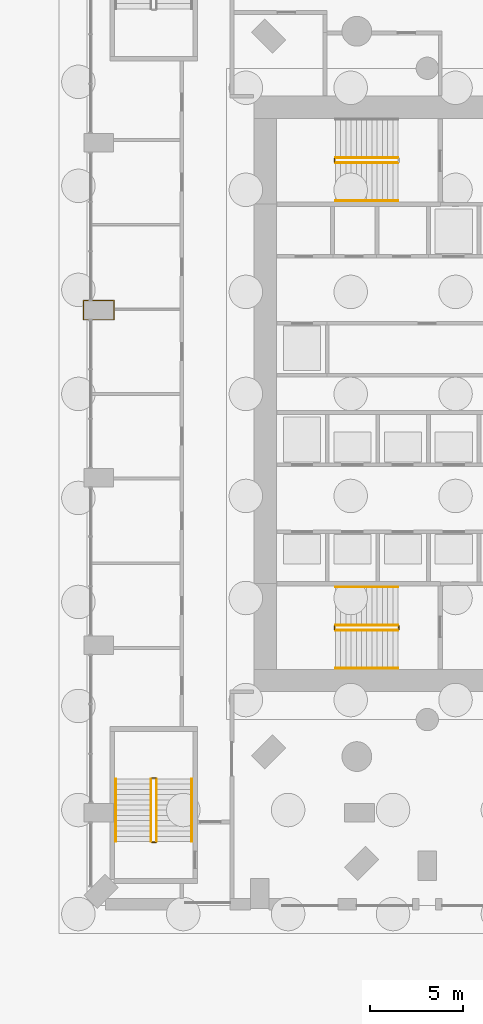
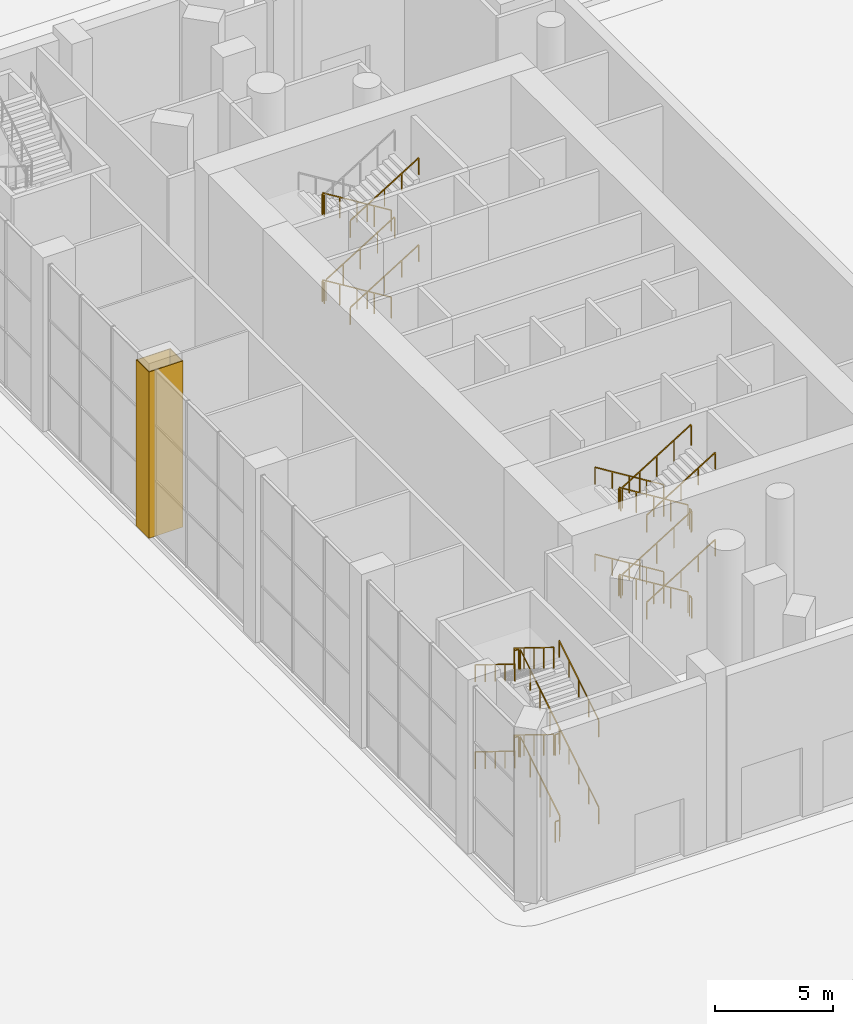
# One storey, part 20 of 25: 31 railings, 1 covering.
"""IFC4 building model written with IfcOpenShell, lengths in metres."""

from ifc_helpers import new_model, si_unit, direction, frame, origin, origin_2d, place, context, subcontext, project, spatial, polyline, rectangle, outline, extrude, material, layer, layer_set, type_object, element, save


model = new_model("IFC4")

# Units and contexts
model_context = context("Model", 3, precision=1e-05, world=origin(), true_north=direction((0.0, 1.0)))
body_context = subcontext(model_context, "Body", "Model", "MODEL_VIEW")
ifc_project = project(units=[si_unit("LENGTHUNIT", "METRE"), si_unit("AREAUNIT", "SQUARE_METRE"), si_unit("VOLUMEUNIT", "CUBIC_METRE"), si_unit("PLANEANGLEUNIT", "RADIAN"), si_unit("MASSUNIT", "GRAM", prefix="KILO")], contexts=[model_context])

# Site, building, storey
site_placement = place(None, origin())
site = spatial("IfcSite", under=ifc_project, at=site_placement, CompositionType="ELEMENT")
building_placement = place(site_placement, origin())
building = spatial("IfcBuilding", under=site, at=building_placement, Name="Cypress Arch Tower", CompositionType="ELEMENT")
storey_placement = place(building_placement, origin())
storey = spatial("IfcBuildingStorey", under=building, at=storey_placement, Name="L00", CompositionType="ELEMENT", Elevation=0.0)

# Covering
ifc_material_1 = material(Name="Painted plasterboard column casing")
ifc_layer = layer(ifc_material_1, 0.0400390625)
ifc_layer_set = layer_set([ifc_layer], Name="Column casing CK40")
covering_type = type_object("IfcCoveringType", Name="Column casing CK40", PredefinedType="CLADDING", material=ifc_layer_set)
covering_placement = place(storey_placement, origin())
element("IfcCovering", 1, at=covering_placement, inside=storey, type_object=covering_type, Name="Column casing L00 CP26", PredefinedType="CLADDING", context=body_context, shape_type="SweptSolid", body=[
    extrude(outline(polyline([(-39.18994140625, 5.0400390625), (-37.510009765625, 5.0400390625), (-37.510009765625, 3.9599609375), (-39.18994140625, 3.9599609375), (-39.18994140625, 5.0400390625)]), holes=[polyline([(-39.14990234375, 5.0), (-39.14990234375, 4.0), (-37.550048828125, 4.0), (-37.550048828125, 5.0), (-39.14990234375, 5.0)])]), origin(), (0.0, 0.0, 1.0), 8.597900390625),
])

# Railings
ifc_material_2 = material(Name="Black powder-coated steel square bar 48 mm", Category="steel")
railing_type_1 = type_object("IfcRailingType", Name="Stair handrail HR1", PredefinedType="HANDRAIL", material=ifc_material_2)
railing_1_placement = place(storey_placement, frame((-22.27490234375, -10.375, 0.173095703125)))
element("IfcRailing", 2, at=railing_1_placement, inside=storey, type_object=railing_type_1, Name="L00 A stair handrail 1", PredefinedType="HANDRAIL", context=body_context, shape_type="SweptSolid", body=[
    extrude(rectangle(XDim=0.048095703125, YDim=0.048095703125, at=origin_2d()), frame((0.0, 0.0, 0.8759765625), z_axis=(-0.850623216509, 0.0, 0.525775754039), x_axis=(0.0, -1.0, 0.0)), (0.0, 0.0, 1.0), 3.9501953125),
    extrude(rectangle(XDim=0.0419921875, YDim=0.0419921875, at=origin_2d()), origin(), (0.0, 0.0, 1.0), 0.851806640625),
    extrude(rectangle(XDim=0.0419921875, YDim=0.0419921875, at=origin_2d()), frame((-0.840087890625, 0.0, 0.519287109375)), (0.0, 0.0, 1.0), 0.851806640625),
    extrude(rectangle(XDim=0.0419921875, YDim=0.0419921875, at=origin_2d()), frame((-1.68017578125, 0.0, 1.03857421875)), (0.0, 0.0, 1.0), 0.851806640625),
    extrude(rectangle(XDim=0.0419921875, YDim=0.0419921875, at=origin_2d()), frame((-2.52001953125, 0.0, 1.5576171875)), (0.0, 0.0, 1.0), 0.851806640625),
    extrude(rectangle(XDim=0.0419921875, YDim=0.0419921875, at=origin_2d()), frame((-3.360107421875, 0.0, 2.076904296875)), (0.0, 0.0, 1.0), 0.851806640625),
])
railing_2_placement = place(storey_placement, frame((-25.635009765625, -14.75, 2.423095703125)))
element("IfcRailing", 3, at=railing_2_placement, inside=storey, type_object=railing_type_1, Name="L00 A stair handrail 2", PredefinedType="HANDRAIL", context=body_context, shape_type="SweptSolid", body=[
    extrude(rectangle(XDim=0.048095703125, YDim=0.048095703125, at=origin_2d()), frame((0.0, 0.0, 0.8759765625), z_axis=(0.850623216509, 0.0, 0.525775754039), x_axis=(0.0, 1.0, 0.0)), (0.0, 0.0, 1.0), 3.9501953125),
    extrude(rectangle(XDim=0.0419921875, YDim=0.0419921875, at=origin_2d()), origin(), (0.0, 0.0, 1.0), 0.851806640625),
    extrude(rectangle(XDim=0.0419921875, YDim=0.0419921875, at=origin_2d()), frame((0.840087890625, 0.0, 0.519287109375)), (0.0, 0.0, 1.0), 0.851806640625),
    extrude(rectangle(XDim=0.0419921875, YDim=0.0419921875, at=origin_2d()), frame((1.68017578125, 0.0, 1.03857421875)), (0.0, 0.0, 1.0), 0.851806640625),
    extrude(rectangle(XDim=0.0419921875, YDim=0.0419921875, at=origin_2d()), frame((2.52001953125, 0.0, 1.5576171875)), (0.0, 0.0, 1.0), 0.851806640625),
    extrude(rectangle(XDim=0.0419921875, YDim=0.0419921875, at=origin_2d()), frame((3.360107421875, 0.0, 2.076904296875)), (0.0, 0.0, 1.0), 0.851806640625),
])
railing_3_placement = place(storey_placement, frame((-22.27490234375, -10.375, 4.673095703125)))
element("IfcRailing", 4, at=railing_3_placement, inside=storey, type_object=railing_type_1, Name="L00 A stair handrail 3", PredefinedType="HANDRAIL", context=body_context, shape_type="SweptSolid", body=[
    extrude(rectangle(XDim=0.048095703125, YDim=0.048095703125, at=origin_2d()), frame((0.0, 0.0, 0.8759765625), z_axis=(-0.850623216509, 0.0, 0.525775754039), x_axis=(0.0, -1.0, 0.0)), (0.0, 0.0, 1.0), 3.9501953125),
    extrude(rectangle(XDim=0.0419921875, YDim=0.0419921875, at=origin_2d()), origin(), (0.0, 0.0, 1.0), 0.851806640625),
    extrude(rectangle(XDim=0.0419921875, YDim=0.0419921875, at=origin_2d()), frame((-0.840087890625, 0.0, 0.519287109375)), (0.0, 0.0, 1.0), 0.851806640625),
    extrude(rectangle(XDim=0.0419921875, YDim=0.0419921875, at=origin_2d()), frame((-1.68017578125, 0.0, 1.03857421875)), (0.0, 0.0, 1.0), 0.851806640625),
    extrude(rectangle(XDim=0.0419921875, YDim=0.0419921875, at=origin_2d()), frame((-2.52001953125, 0.0, 1.5576171875)), (0.0, 0.0, 1.0), 0.851806640625),
    extrude(rectangle(XDim=0.0419921875, YDim=0.0419921875, at=origin_2d()), frame((-3.360107421875, 0.0, 2.076904296875)), (0.0, 0.0, 1.0), 0.851806640625),
])
for number, where, name in (
    (5, (-25.635009765625, -14.75, 6.923095703125), "L00 A stair handrail 4"),
    (6, (-25.635009765625, 10.375, 2.423095703125), "L00 B stair handrail 2"),
    (7, (-25.635009765625, 10.375, 6.923095703125), "L00 B stair handrail 4"),
):
    element("IfcRailing", number, at=place(storey_placement, frame(where)), inside=storey, type_object=railing_type_1, Name=name, PredefinedType="HANDRAIL", context=body_context, shape_type="SweptSolid", body=[
        extrude(rectangle(XDim=0.048095703125, YDim=0.048095703125, at=origin_2d()), frame((0.0, 0.0, 0.8759765625), z_axis=(0.850623216509, 0.0, 0.525775754039), x_axis=(0.0, 1.0, 0.0)), (0.0, 0.0, 1.0), 3.9501953125),
        extrude(rectangle(XDim=0.0419921875, YDim=0.0419921875, at=origin_2d()), origin(), (0.0, 0.0, 1.0), 0.851806640625),
        extrude(rectangle(XDim=0.0419921875, YDim=0.0419921875, at=origin_2d()), frame((0.840087890625, 0.0, 0.519287109375)), (0.0, 0.0, 1.0), 0.851806640625),
        extrude(rectangle(XDim=0.0419921875, YDim=0.0419921875, at=origin_2d()), frame((1.68017578125, 0.0, 1.03857421875)), (0.0, 0.0, 1.0), 0.851806640625),
        extrude(rectangle(XDim=0.0419921875, YDim=0.0419921875, at=origin_2d()), frame((2.52001953125, 0.0, 1.5576171875)), (0.0, 0.0, 1.0), 0.851806640625),
        extrude(rectangle(XDim=0.0419921875, YDim=0.0419921875, at=origin_2d()), frame((3.360107421875, 0.0, 2.076904296875)), (0.0, 0.0, 1.0), 0.851806640625),
    ])
railing_4_placement = place(storey_placement, frame((-33.35009765625, -24.050048828125, 0.173095703125)))
element("IfcRailing", 8, at=railing_4_placement, inside=storey, type_object=railing_type_1, Name="L00 P1 stair handrail 1", PredefinedType="HANDRAIL", context=body_context, shape_type="SweptSolid", body=[
    extrude(rectangle(XDim=0.048095703125, YDim=0.048095703125, at=origin_2d()), frame((0.0, 0.0, 0.8759765625), z_axis=(0.0, 0.850623216509, 0.525775754039), x_axis=(-1.0, 0.0, 0.0)), (0.0, 0.0, 1.0), 3.9501953125),
    extrude(rectangle(XDim=0.0419921875, YDim=0.0419921875, at=origin_2d()), origin(), (0.0, 0.0, 1.0), 0.851806640625),
    extrude(rectangle(XDim=0.0419921875, YDim=0.0419921875, at=origin_2d()), frame((0.0, 0.840087890625, 0.519287109375)), (0.0, 0.0, 1.0), 0.851806640625),
    extrude(rectangle(XDim=0.0419921875, YDim=0.0419921875, at=origin_2d()), frame((0.0, 1.68017578125, 1.03857421875)), (0.0, 0.0, 1.0), 0.851806640625),
    extrude(rectangle(XDim=0.0419921875, YDim=0.0419921875, at=origin_2d()), frame((0.0, 2.52001953125, 1.5576171875)), (0.0, 0.0, 1.0), 0.851806640625),
    extrude(rectangle(XDim=0.0419921875, YDim=0.0419921875, at=origin_2d()), frame((0.0, 3.360107421875, 2.076904296875)), (0.0, 0.0, 1.0), 0.851806640625),
])
railing_5_placement = place(storey_placement, frame((-37.449951171875, -20.68994140625, 2.423095703125)))
element("IfcRailing", 9, at=railing_5_placement, inside=storey, type_object=railing_type_1, Name="L00 P1 stair handrail 2", PredefinedType="HANDRAIL", context=body_context, shape_type="SweptSolid", body=[
    extrude(rectangle(XDim=0.048095703125, YDim=0.048095703125, at=origin_2d()), frame((0.0, 0.0, 0.8759765625), z_axis=(0.0, -0.850623216509, 0.525775754039), x_axis=(1.0, 0.0, 0.0)), (0.0, 0.0, 1.0), 3.9501953125),
    extrude(rectangle(XDim=0.0419921875, YDim=0.0419921875, at=origin_2d()), origin(), (0.0, 0.0, 1.0), 0.851806640625),
    extrude(rectangle(XDim=0.0419921875, YDim=0.0419921875, at=origin_2d()), frame((0.0, -0.840087890625, 0.519287109375)), (0.0, 0.0, 1.0), 0.851806640625),
    extrude(rectangle(XDim=0.0419921875, YDim=0.0419921875, at=origin_2d()), frame((0.0, -1.68017578125, 1.03857421875)), (0.0, 0.0, 1.0), 0.851806640625),
    extrude(rectangle(XDim=0.0419921875, YDim=0.0419921875, at=origin_2d()), frame((0.0, -2.52001953125, 1.5576171875)), (0.0, 0.0, 1.0), 0.851806640625),
    extrude(rectangle(XDim=0.0419921875, YDim=0.0419921875, at=origin_2d()), frame((0.0, -3.360107421875, 2.076904296875)), (0.0, 0.0, 1.0), 0.851806640625),
])
railing_6_placement = place(storey_placement, frame((-33.35009765625, -24.050048828125, 4.673095703125)))
element("IfcRailing", 10, at=railing_6_placement, inside=storey, type_object=railing_type_1, Name="L00 P1 stair handrail 3", PredefinedType="HANDRAIL", context=body_context, shape_type="SweptSolid", body=[
    extrude(rectangle(XDim=0.048095703125, YDim=0.048095703125, at=origin_2d()), frame((0.0, 0.0, 0.8759765625), z_axis=(0.0, 0.850623216509, 0.525775754039), x_axis=(-1.0, 0.0, 0.0)), (0.0, 0.0, 1.0), 3.9501953125),
    extrude(rectangle(XDim=0.0419921875, YDim=0.0419921875, at=origin_2d()), origin(), (0.0, 0.0, 1.0), 0.851806640625),
    extrude(rectangle(XDim=0.0419921875, YDim=0.0419921875, at=origin_2d()), frame((0.0, 0.840087890625, 0.519287109375)), (0.0, 0.0, 1.0), 0.851806640625),
    extrude(rectangle(XDim=0.0419921875, YDim=0.0419921875, at=origin_2d()), frame((0.0, 1.68017578125, 1.03857421875)), (0.0, 0.0, 1.0), 0.851806640625),
    extrude(rectangle(XDim=0.0419921875, YDim=0.0419921875, at=origin_2d()), frame((0.0, 2.52001953125, 1.5576171875)), (0.0, 0.0, 1.0), 0.851806640625),
    extrude(rectangle(XDim=0.0419921875, YDim=0.0419921875, at=origin_2d()), frame((0.0, 3.360107421875, 2.076904296875)), (0.0, 0.0, 1.0), 0.851806640625),
])
railing_7_placement = place(storey_placement, frame((-37.449951171875, -20.68994140625, 6.923095703125)))
element("IfcRailing", 11, at=railing_7_placement, inside=storey, type_object=railing_type_1, Name="L00 P1 stair handrail 4", PredefinedType="HANDRAIL", context=body_context, shape_type="SweptSolid", body=[
    extrude(rectangle(XDim=0.048095703125, YDim=0.048095703125, at=origin_2d()), frame((0.0, 0.0, 0.8759765625), z_axis=(0.0, -0.850623216509, 0.525775754039), x_axis=(1.0, 0.0, 0.0)), (0.0, 0.0, 1.0), 3.9501953125),
    extrude(rectangle(XDim=0.0419921875, YDim=0.0419921875, at=origin_2d()), origin(), (0.0, 0.0, 1.0), 0.851806640625),
    extrude(rectangle(XDim=0.0419921875, YDim=0.0419921875, at=origin_2d()), frame((0.0, -0.840087890625, 0.519287109375)), (0.0, 0.0, 1.0), 0.851806640625),
    extrude(rectangle(XDim=0.0419921875, YDim=0.0419921875, at=origin_2d()), frame((0.0, -1.68017578125, 1.03857421875)), (0.0, 0.0, 1.0), 0.851806640625),
    extrude(rectangle(XDim=0.0419921875, YDim=0.0419921875, at=origin_2d()), frame((0.0, -2.52001953125, 1.5576171875)), (0.0, 0.0, 1.0), 0.851806640625),
    extrude(rectangle(XDim=0.0419921875, YDim=0.0419921875, at=origin_2d()), frame((0.0, -3.360107421875, 2.076904296875)), (0.0, 0.0, 1.0), 0.851806640625),
])
ifc_material_3 = material(Name="Black powder-coated steel balusters", Category="steel")
railing_type_2 = type_object("IfcRailingType", Name="Stair well guard G1", PredefinedType="GUARDRAIL", material=ifc_material_3)
railing_8_placement = place(storey_placement, frame((-22.27490234375, -12.425048828125, 0.173095703125)))
element("IfcRailing", 12, at=railing_8_placement, inside=storey, type_object=railing_type_2, Name="L00 A stair guard 1", PredefinedType="GUARDRAIL", context=body_context, shape_type="SweptSolid", body=[
    extrude(rectangle(XDim=0.048095703125, YDim=0.048095703125, at=origin_2d()), frame((0.0, 0.0, 1.076171875), z_axis=(-0.850623216509, 0.0, 0.525775754039), x_axis=(0.0, -1.0, 0.0)), (0.0, 0.0, 1.0), 3.9501953125),
    extrude(rectangle(XDim=0.0419921875, YDim=0.0419921875, at=origin_2d()), origin(), (0.0, 0.0, 1.0), 1.052001953125),
    extrude(rectangle(XDim=0.0419921875, YDim=0.0419921875, at=origin_2d()), frame((-0.840087890625, 0.0, 0.519287109375)), (0.0, 0.0, 1.0), 1.052001953125),
    extrude(rectangle(XDim=0.0419921875, YDim=0.0419921875, at=origin_2d()), frame((-1.68017578125, 0.0, 1.03857421875)), (0.0, 0.0, 1.0), 1.052001953125),
    extrude(rectangle(XDim=0.0419921875, YDim=0.0419921875, at=origin_2d()), frame((-2.52001953125, 0.0, 1.5576171875)), (0.0, 0.0, 1.0), 1.052001953125),
    extrude(rectangle(XDim=0.0419921875, YDim=0.0419921875, at=origin_2d()), frame((-3.360107421875, 0.0, 2.076904296875)), (0.0, 0.0, 1.0), 1.052001953125),
])
railing_9_placement = place(storey_placement, frame((-25.68505859375, -12.47509765625, 2.25)))
element("IfcRailing", 13, at=railing_9_placement, inside=storey, type_object=railing_type_2, Name="L00 A stair guard 2", PredefinedType="GUARDRAIL", context=body_context, shape_type="SweptSolid", body=[
    extrude(rectangle(XDim=0.048095703125, YDim=0.048095703125, at=origin_2d()), frame((0.0, 0.0, 1.076171875), z_axis=(0.0, -1.0, 0.0), x_axis=(1.0, 0.0, 0.0)), (0.0, 0.0, 1.0), 0.1748046875),
    extrude(rectangle(XDim=0.0419921875, YDim=0.0419921875, at=origin_2d()), origin(), (0.0, 0.0, 1.0), 1.052001953125),
    extrude(rectangle(XDim=0.0419921875, YDim=0.0419921875, at=origin_2d()), frame((0.0, -0.1748046875, 0.0)), (0.0, 0.0, 1.0), 1.052001953125),
])
railing_10_placement = place(storey_placement, frame((-25.635009765625, -12.699951171875, 2.423095703125)))
element("IfcRailing", 14, at=railing_10_placement, inside=storey, type_object=railing_type_2, Name="L00 A stair guard 3", PredefinedType="GUARDRAIL", context=body_context, shape_type="SweptSolid", body=[
    extrude(rectangle(XDim=0.048095703125, YDim=0.048095703125, at=origin_2d()), frame((0.0, 0.0, 1.076171875), z_axis=(0.850623216509, 0.0, 0.525775754039), x_axis=(0.0, 1.0, 0.0)), (0.0, 0.0, 1.0), 3.9501953125),
    extrude(rectangle(XDim=0.0419921875, YDim=0.0419921875, at=origin_2d()), origin(), (0.0, 0.0, 1.0), 1.052001953125),
    extrude(rectangle(XDim=0.0419921875, YDim=0.0419921875, at=origin_2d()), frame((0.840087890625, 0.0, 0.519287109375)), (0.0, 0.0, 1.0), 1.052001953125),
    extrude(rectangle(XDim=0.0419921875, YDim=0.0419921875, at=origin_2d()), frame((1.68017578125, 0.0, 1.03857421875)), (0.0, 0.0, 1.0), 1.052001953125),
    extrude(rectangle(XDim=0.0419921875, YDim=0.0419921875, at=origin_2d()), frame((2.52001953125, 0.0, 1.5576171875)), (0.0, 0.0, 1.0), 1.052001953125),
    extrude(rectangle(XDim=0.0419921875, YDim=0.0419921875, at=origin_2d()), frame((3.360107421875, 0.0, 2.076904296875)), (0.0, 0.0, 1.0), 1.052001953125),
])
railing_11_placement = place(storey_placement, frame((-22.22509765625, -12.47509765625, 4.5)))
element("IfcRailing", 15, at=railing_11_placement, inside=storey, type_object=railing_type_2, Name="L00 A stair guard 4", PredefinedType="GUARDRAIL", context=body_context, shape_type="SweptSolid", body=[
    extrude(rectangle(XDim=0.048095703125, YDim=0.048095703125, at=origin_2d()), frame((0.0, 0.0, 1.076171875), z_axis=(0.0, -1.0, 0.0), x_axis=(1.0, 0.0, 0.0)), (0.0, 0.0, 1.0), 0.1748046875),
    extrude(rectangle(XDim=0.0419921875, YDim=0.0419921875, at=origin_2d()), origin(), (0.0, 0.0, 1.0), 1.052001953125),
    extrude(rectangle(XDim=0.0419921875, YDim=0.0419921875, at=origin_2d()), frame((0.0, -0.1748046875, 0.0)), (0.0, 0.0, 1.0), 1.052001953125),
])
railing_12_placement = place(storey_placement, frame((-22.27490234375, -12.425048828125, 4.673095703125)))
element("IfcRailing", 16, at=railing_12_placement, inside=storey, type_object=railing_type_2, Name="L00 A stair guard 5", PredefinedType="GUARDRAIL", context=body_context, shape_type="SweptSolid", body=[
    extrude(rectangle(XDim=0.048095703125, YDim=0.048095703125, at=origin_2d()), frame((0.0, 0.0, 1.076171875), z_axis=(-0.850623216509, 0.0, 0.525775754039), x_axis=(0.0, -1.0, 0.0)), (0.0, 0.0, 1.0), 3.9501953125),
    extrude(rectangle(XDim=0.0419921875, YDim=0.0419921875, at=origin_2d()), origin(), (0.0, 0.0, 1.0), 1.052001953125),
    extrude(rectangle(XDim=0.0419921875, YDim=0.0419921875, at=origin_2d()), frame((-0.840087890625, 0.0, 0.519287109375)), (0.0, 0.0, 1.0), 1.052001953125),
    extrude(rectangle(XDim=0.0419921875, YDim=0.0419921875, at=origin_2d()), frame((-1.68017578125, 0.0, 1.03857421875)), (0.0, 0.0, 1.0), 1.052001953125),
    extrude(rectangle(XDim=0.0419921875, YDim=0.0419921875, at=origin_2d()), frame((-2.52001953125, 0.0, 1.5576171875)), (0.0, 0.0, 1.0), 1.052001953125),
    extrude(rectangle(XDim=0.0419921875, YDim=0.0419921875, at=origin_2d()), frame((-3.360107421875, 0.0, 2.076904296875)), (0.0, 0.0, 1.0), 1.052001953125),
])
railing_13_placement = place(storey_placement, frame((-25.68505859375, -12.47509765625, 6.75)))
element("IfcRailing", 17, at=railing_13_placement, inside=storey, type_object=railing_type_2, Name="L00 A stair guard 6", PredefinedType="GUARDRAIL", context=body_context, shape_type="SweptSolid", body=[
    extrude(rectangle(XDim=0.048095703125, YDim=0.048095703125, at=origin_2d()), frame((0.0, 0.0, 1.076171875), z_axis=(0.0, -1.0, 0.0), x_axis=(1.0, 0.0, 0.0)), (0.0, 0.0, 1.0), 0.1748046875),
    extrude(rectangle(XDim=0.0419921875, YDim=0.0419921875, at=origin_2d()), origin(), (0.0, 0.0, 1.0), 1.052001953125),
    extrude(rectangle(XDim=0.0419921875, YDim=0.0419921875, at=origin_2d()), frame((0.0, -0.1748046875, 0.0)), (0.0, 0.0, 1.0), 1.052001953125),
])
railing_14_placement = place(storey_placement, frame((-25.635009765625, -12.699951171875, 6.923095703125)))
element("IfcRailing", 18, at=railing_14_placement, inside=storey, type_object=railing_type_2, Name="L00 A stair guard 7", PredefinedType="GUARDRAIL", context=body_context, shape_type="SweptSolid", body=[
    extrude(rectangle(XDim=0.048095703125, YDim=0.048095703125, at=origin_2d()), frame((0.0, 0.0, 1.076171875), z_axis=(0.850623216509, 0.0, 0.525775754039), x_axis=(0.0, 1.0, 0.0)), (0.0, 0.0, 1.0), 3.9501953125),
    extrude(rectangle(XDim=0.0419921875, YDim=0.0419921875, at=origin_2d()), origin(), (0.0, 0.0, 1.0), 1.052001953125),
    extrude(rectangle(XDim=0.0419921875, YDim=0.0419921875, at=origin_2d()), frame((0.840087890625, 0.0, 0.519287109375)), (0.0, 0.0, 1.0), 1.052001953125),
    extrude(rectangle(XDim=0.0419921875, YDim=0.0419921875, at=origin_2d()), frame((1.68017578125, 0.0, 1.03857421875)), (0.0, 0.0, 1.0), 1.052001953125),
    extrude(rectangle(XDim=0.0419921875, YDim=0.0419921875, at=origin_2d()), frame((2.52001953125, 0.0, 1.5576171875)), (0.0, 0.0, 1.0), 1.052001953125),
    extrude(rectangle(XDim=0.0419921875, YDim=0.0419921875, at=origin_2d()), frame((3.360107421875, 0.0, 2.076904296875)), (0.0, 0.0, 1.0), 1.052001953125),
])
railing_15_placement = place(storey_placement, frame((-22.22509765625, -12.47509765625, 0.0)))
element("IfcRailing", 19, at=railing_15_placement, inside=storey, type_object=railing_type_2, Name="L00 A stair guard 8", PredefinedType="GUARDRAIL", context=body_context, shape_type="SweptSolid", body=[
    extrude(rectangle(XDim=0.048095703125, YDim=0.048095703125, at=origin_2d()), frame((0.0, 0.0, 1.076171875), z_axis=(0.0, -1.0, 0.0), x_axis=(1.0, 0.0, 0.0)), (0.0, 0.0, 1.0), 0.1748046875),
    extrude(rectangle(XDim=0.0419921875, YDim=0.0419921875, at=origin_2d()), origin(), (0.0, 0.0, 1.0), 1.052001953125),
    extrude(rectangle(XDim=0.0419921875, YDim=0.0419921875, at=origin_2d()), frame((0.0, -0.1748046875, 0.0)), (0.0, 0.0, 1.0), 1.052001953125),
])
railing_16_placement = place(storey_placement, frame((-22.27490234375, 12.699951171875, 0.173095703125)))
element("IfcRailing", 20, at=railing_16_placement, inside=storey, type_object=railing_type_2, Name="L00 B stair guard 1", PredefinedType="GUARDRAIL", context=body_context, shape_type="SweptSolid", body=[
    extrude(rectangle(XDim=0.048095703125, YDim=0.048095703125, at=origin_2d()), frame((0.0, 0.0, 1.076171875), z_axis=(-0.850623216509, 0.0, 0.525775754039), x_axis=(0.0, -1.0, 0.0)), (0.0, 0.0, 1.0), 3.9501953125),
    extrude(rectangle(XDim=0.0419921875, YDim=0.0419921875, at=origin_2d()), origin(), (0.0, 0.0, 1.0), 1.052001953125),
    extrude(rectangle(XDim=0.0419921875, YDim=0.0419921875, at=origin_2d()), frame((-0.840087890625, 0.0, 0.519287109375)), (0.0, 0.0, 1.0), 1.052001953125),
    extrude(rectangle(XDim=0.0419921875, YDim=0.0419921875, at=origin_2d()), frame((-1.68017578125, 0.0, 1.03857421875)), (0.0, 0.0, 1.0), 1.052001953125),
    extrude(rectangle(XDim=0.0419921875, YDim=0.0419921875, at=origin_2d()), frame((-2.52001953125, 0.0, 1.5576171875)), (0.0, 0.0, 1.0), 1.052001953125),
    extrude(rectangle(XDim=0.0419921875, YDim=0.0419921875, at=origin_2d()), frame((-3.360107421875, 0.0, 2.076904296875)), (0.0, 0.0, 1.0), 1.052001953125),
])
railing_17_placement = place(storey_placement, frame((-25.68505859375, 12.64990234375, 2.25)))
element("IfcRailing", 21, at=railing_17_placement, inside=storey, type_object=railing_type_2, Name="L00 B stair guard 2", PredefinedType="GUARDRAIL", context=body_context, shape_type="SweptSolid", body=[
    extrude(rectangle(XDim=0.048095703125, YDim=0.048095703125, at=origin_2d()), frame((0.0, 0.0, 1.076171875), z_axis=(0.0, -1.0, 0.0), x_axis=(1.0, 0.0, 0.0)), (0.0, 0.0, 1.0), 0.1748046875),
    extrude(rectangle(XDim=0.0419921875, YDim=0.0419921875, at=origin_2d()), origin(), (0.0, 0.0, 1.0), 1.052001953125),
    extrude(rectangle(XDim=0.0419921875, YDim=0.0419921875, at=origin_2d()), frame((0.0, -0.1748046875, 0.0)), (0.0, 0.0, 1.0), 1.052001953125),
])
railing_18_placement = place(storey_placement, frame((-25.635009765625, 12.425048828125, 2.423095703125)))
element("IfcRailing", 22, at=railing_18_placement, inside=storey, type_object=railing_type_2, Name="L00 B stair guard 3", PredefinedType="GUARDRAIL", context=body_context, shape_type="SweptSolid", body=[
    extrude(rectangle(XDim=0.048095703125, YDim=0.048095703125, at=origin_2d()), frame((0.0, 0.0, 1.076171875), z_axis=(0.850623216509, 0.0, 0.525775754039), x_axis=(0.0, 1.0, 0.0)), (0.0, 0.0, 1.0), 3.9501953125),
    extrude(rectangle(XDim=0.0419921875, YDim=0.0419921875, at=origin_2d()), origin(), (0.0, 0.0, 1.0), 1.052001953125),
    extrude(rectangle(XDim=0.0419921875, YDim=0.0419921875, at=origin_2d()), frame((0.840087890625, 0.0, 0.519287109375)), (0.0, 0.0, 1.0), 1.052001953125),
    extrude(rectangle(XDim=0.0419921875, YDim=0.0419921875, at=origin_2d()), frame((1.68017578125, 0.0, 1.03857421875)), (0.0, 0.0, 1.0), 1.052001953125),
    extrude(rectangle(XDim=0.0419921875, YDim=0.0419921875, at=origin_2d()), frame((2.52001953125, 0.0, 1.5576171875)), (0.0, 0.0, 1.0), 1.052001953125),
    extrude(rectangle(XDim=0.0419921875, YDim=0.0419921875, at=origin_2d()), frame((3.360107421875, 0.0, 2.076904296875)), (0.0, 0.0, 1.0), 1.052001953125),
])
railing_19_placement = place(storey_placement, frame((-22.27490234375, 12.699951171875, 4.673095703125)))
element("IfcRailing", 23, at=railing_19_placement, inside=storey, type_object=railing_type_2, Name="L00 B stair guard 5", PredefinedType="GUARDRAIL", context=body_context, shape_type="SweptSolid", body=[
    extrude(rectangle(XDim=0.048095703125, YDim=0.048095703125, at=origin_2d()), frame((0.0, 0.0, 1.076171875), z_axis=(-0.850623216509, 0.0, 0.525775754039), x_axis=(0.0, -1.0, 0.0)), (0.0, 0.0, 1.0), 3.9501953125),
    extrude(rectangle(XDim=0.0419921875, YDim=0.0419921875, at=origin_2d()), origin(), (0.0, 0.0, 1.0), 1.052001953125),
    extrude(rectangle(XDim=0.0419921875, YDim=0.0419921875, at=origin_2d()), frame((-0.840087890625, 0.0, 0.519287109375)), (0.0, 0.0, 1.0), 1.052001953125),
    extrude(rectangle(XDim=0.0419921875, YDim=0.0419921875, at=origin_2d()), frame((-1.68017578125, 0.0, 1.03857421875)), (0.0, 0.0, 1.0), 1.052001953125),
    extrude(rectangle(XDim=0.0419921875, YDim=0.0419921875, at=origin_2d()), frame((-2.52001953125, 0.0, 1.5576171875)), (0.0, 0.0, 1.0), 1.052001953125),
    extrude(rectangle(XDim=0.0419921875, YDim=0.0419921875, at=origin_2d()), frame((-3.360107421875, 0.0, 2.076904296875)), (0.0, 0.0, 1.0), 1.052001953125),
])
railing_20_placement = place(storey_placement, frame((-25.68505859375, 12.64990234375, 6.75)))
element("IfcRailing", 24, at=railing_20_placement, inside=storey, type_object=railing_type_2, Name="L00 B stair guard 6", PredefinedType="GUARDRAIL", context=body_context, shape_type="SweptSolid", body=[
    extrude(rectangle(XDim=0.048095703125, YDim=0.048095703125, at=origin_2d()), frame((0.0, 0.0, 1.076171875), z_axis=(0.0, -1.0, 0.0), x_axis=(1.0, 0.0, 0.0)), (0.0, 0.0, 1.0), 0.1748046875),
    extrude(rectangle(XDim=0.0419921875, YDim=0.0419921875, at=origin_2d()), origin(), (0.0, 0.0, 1.0), 1.052001953125),
    extrude(rectangle(XDim=0.0419921875, YDim=0.0419921875, at=origin_2d()), frame((0.0, -0.1748046875, 0.0)), (0.0, 0.0, 1.0), 1.052001953125),
])
railing_21_placement = place(storey_placement, frame((-35.25, -24.050048828125, 0.173095703125)))
element("IfcRailing", 25, at=railing_21_placement, inside=storey, type_object=railing_type_2, Name="L00 P1 stair guard 1", PredefinedType="GUARDRAIL", context=body_context, shape_type="SweptSolid", body=[
    extrude(rectangle(XDim=0.048095703125, YDim=0.048095703125, at=origin_2d()), frame((0.0, 0.0, 1.076171875), z_axis=(0.0, 0.850623216509, 0.525775754039), x_axis=(-1.0, 0.0, 0.0)), (0.0, 0.0, 1.0), 3.9501953125),
    extrude(rectangle(XDim=0.0419921875, YDim=0.0419921875, at=origin_2d()), origin(), (0.0, 0.0, 1.0), 1.052001953125),
    extrude(rectangle(XDim=0.0419921875, YDim=0.0419921875, at=origin_2d()), frame((0.0, 0.840087890625, 0.519287109375)), (0.0, 0.0, 1.0), 1.052001953125),
    extrude(rectangle(XDim=0.0419921875, YDim=0.0419921875, at=origin_2d()), frame((0.0, 1.68017578125, 1.03857421875)), (0.0, 0.0, 1.0), 1.052001953125),
    extrude(rectangle(XDim=0.0419921875, YDim=0.0419921875, at=origin_2d()), frame((0.0, 2.52001953125, 1.5576171875)), (0.0, 0.0, 1.0), 1.052001953125),
    extrude(rectangle(XDim=0.0419921875, YDim=0.0419921875, at=origin_2d()), frame((0.0, 3.360107421875, 2.076904296875)), (0.0, 0.0, 1.0), 1.052001953125),
])
railing_22_placement = place(storey_placement, frame((-35.300048828125, -20.639892578125, 2.25)))
element("IfcRailing", 26, at=railing_22_placement, inside=storey, type_object=railing_type_2, Name="L00 P1 stair guard 2", PredefinedType="GUARDRAIL", context=body_context, shape_type="SweptSolid", body=[
    extrude(rectangle(XDim=0.048095703125, YDim=0.048095703125, at=origin_2d()), frame((0.0, 0.0, 1.076171875), z_axis=(-1.0, 0.0, 0.0), x_axis=(0.0, -1.0, 0.0)), (0.0, 0.0, 1.0), 0.199951171875),
    extrude(rectangle(XDim=0.0419921875, YDim=0.0419921875, at=origin_2d()), origin(), (0.0, 0.0, 1.0), 1.052001953125),
    extrude(rectangle(XDim=0.0419921875, YDim=0.0419921875, at=origin_2d()), frame((-0.199951171875, 0.0, 0.0)), (0.0, 0.0, 1.0), 1.052001953125),
])
railing_23_placement = place(storey_placement, frame((-35.550048828125, -20.68994140625, 2.423095703125)))
element("IfcRailing", 27, at=railing_23_placement, inside=storey, type_object=railing_type_2, Name="L00 P1 stair guard 3", PredefinedType="GUARDRAIL", context=body_context, shape_type="SweptSolid", body=[
    extrude(rectangle(XDim=0.048095703125, YDim=0.048095703125, at=origin_2d()), frame((0.0, 0.0, 1.076171875), z_axis=(0.0, -0.850623216509, 0.525775754039), x_axis=(1.0, 0.0, 0.0)), (0.0, 0.0, 1.0), 3.9501953125),
    extrude(rectangle(XDim=0.0419921875, YDim=0.0419921875, at=origin_2d()), origin(), (0.0, 0.0, 1.0), 1.052001953125),
    extrude(rectangle(XDim=0.0419921875, YDim=0.0419921875, at=origin_2d()), frame((0.0, -0.840087890625, 0.519287109375)), (0.0, 0.0, 1.0), 1.052001953125),
    extrude(rectangle(XDim=0.0419921875, YDim=0.0419921875, at=origin_2d()), frame((0.0, -1.68017578125, 1.03857421875)), (0.0, 0.0, 1.0), 1.052001953125),
    extrude(rectangle(XDim=0.0419921875, YDim=0.0419921875, at=origin_2d()), frame((0.0, -2.52001953125, 1.5576171875)), (0.0, 0.0, 1.0), 1.052001953125),
    extrude(rectangle(XDim=0.0419921875, YDim=0.0419921875, at=origin_2d()), frame((0.0, -3.360107421875, 2.076904296875)), (0.0, 0.0, 1.0), 1.052001953125),
])
railing_24_placement = place(storey_placement, frame((-35.300048828125, -24.10009765625, 4.5)))
element("IfcRailing", 28, at=railing_24_placement, inside=storey, type_object=railing_type_2, Name="L00 P1 stair guard 4", PredefinedType="GUARDRAIL", context=body_context, shape_type="SweptSolid", body=[
    extrude(rectangle(XDim=0.048095703125, YDim=0.048095703125, at=origin_2d()), frame((0.0, 0.0, 1.076171875), z_axis=(-1.0, 0.0, 0.0), x_axis=(0.0, -1.0, 0.0)), (0.0, 0.0, 1.0), 0.199951171875),
    extrude(rectangle(XDim=0.0419921875, YDim=0.0419921875, at=origin_2d()), origin(), (0.0, 0.0, 1.0), 1.052001953125),
    extrude(rectangle(XDim=0.0419921875, YDim=0.0419921875, at=origin_2d()), frame((-0.199951171875, 0.0, 0.0)), (0.0, 0.0, 1.0), 1.052001953125),
])
railing_25_placement = place(storey_placement, frame((-35.25, -24.050048828125, 4.673095703125)))
element("IfcRailing", 29, at=railing_25_placement, inside=storey, type_object=railing_type_2, Name="L00 P1 stair guard 5", PredefinedType="GUARDRAIL", context=body_context, shape_type="SweptSolid", body=[
    extrude(rectangle(XDim=0.048095703125, YDim=0.048095703125, at=origin_2d()), frame((0.0, 0.0, 1.076171875), z_axis=(0.0, 0.850623216509, 0.525775754039), x_axis=(-1.0, 0.0, 0.0)), (0.0, 0.0, 1.0), 3.9501953125),
    extrude(rectangle(XDim=0.0419921875, YDim=0.0419921875, at=origin_2d()), origin(), (0.0, 0.0, 1.0), 1.052001953125),
    extrude(rectangle(XDim=0.0419921875, YDim=0.0419921875, at=origin_2d()), frame((0.0, 0.840087890625, 0.519287109375)), (0.0, 0.0, 1.0), 1.052001953125),
    extrude(rectangle(XDim=0.0419921875, YDim=0.0419921875, at=origin_2d()), frame((0.0, 1.68017578125, 1.03857421875)), (0.0, 0.0, 1.0), 1.052001953125),
    extrude(rectangle(XDim=0.0419921875, YDim=0.0419921875, at=origin_2d()), frame((0.0, 2.52001953125, 1.5576171875)), (0.0, 0.0, 1.0), 1.052001953125),
    extrude(rectangle(XDim=0.0419921875, YDim=0.0419921875, at=origin_2d()), frame((0.0, 3.360107421875, 2.076904296875)), (0.0, 0.0, 1.0), 1.052001953125),
])
railing_26_placement = place(storey_placement, frame((-35.300048828125, -20.639892578125, 6.75)))
element("IfcRailing", 30, at=railing_26_placement, inside=storey, type_object=railing_type_2, Name="L00 P1 stair guard 6", PredefinedType="GUARDRAIL", context=body_context, shape_type="SweptSolid", body=[
    extrude(rectangle(XDim=0.048095703125, YDim=0.048095703125, at=origin_2d()), frame((0.0, 0.0, 1.076171875), z_axis=(-1.0, 0.0, 0.0), x_axis=(0.0, -1.0, 0.0)), (0.0, 0.0, 1.0), 0.199951171875),
    extrude(rectangle(XDim=0.0419921875, YDim=0.0419921875, at=origin_2d()), origin(), (0.0, 0.0, 1.0), 1.052001953125),
    extrude(rectangle(XDim=0.0419921875, YDim=0.0419921875, at=origin_2d()), frame((-0.199951171875, 0.0, 0.0)), (0.0, 0.0, 1.0), 1.052001953125),
])
railing_27_placement = place(storey_placement, frame((-35.550048828125, -20.68994140625, 6.923095703125)))
element("IfcRailing", 31, at=railing_27_placement, inside=storey, type_object=railing_type_2, Name="L00 P1 stair guard 7", PredefinedType="GUARDRAIL", context=body_context, shape_type="SweptSolid", body=[
    extrude(rectangle(XDim=0.048095703125, YDim=0.048095703125, at=origin_2d()), frame((0.0, 0.0, 1.076171875), z_axis=(0.0, -0.850623216509, 0.525775754039), x_axis=(1.0, 0.0, 0.0)), (0.0, 0.0, 1.0), 3.9501953125),
    extrude(rectangle(XDim=0.0419921875, YDim=0.0419921875, at=origin_2d()), origin(), (0.0, 0.0, 1.0), 1.052001953125),
    extrude(rectangle(XDim=0.0419921875, YDim=0.0419921875, at=origin_2d()), frame((0.0, -0.840087890625, 0.519287109375)), (0.0, 0.0, 1.0), 1.052001953125),
    extrude(rectangle(XDim=0.0419921875, YDim=0.0419921875, at=origin_2d()), frame((0.0, -1.68017578125, 1.03857421875)), (0.0, 0.0, 1.0), 1.052001953125),
    extrude(rectangle(XDim=0.0419921875, YDim=0.0419921875, at=origin_2d()), frame((0.0, -2.52001953125, 1.5576171875)), (0.0, 0.0, 1.0), 1.052001953125),
    extrude(rectangle(XDim=0.0419921875, YDim=0.0419921875, at=origin_2d()), frame((0.0, -3.360107421875, 2.076904296875)), (0.0, 0.0, 1.0), 1.052001953125),
])
railing_28_placement = place(storey_placement, frame((-35.300048828125, -24.10009765625, 0.0)))
element("IfcRailing", 32, at=railing_28_placement, inside=storey, type_object=railing_type_2, Name="L00 P1 stair guard 8", PredefinedType="GUARDRAIL", context=body_context, shape_type="SweptSolid", body=[
    extrude(rectangle(XDim=0.048095703125, YDim=0.048095703125, at=origin_2d()), frame((0.0, 0.0, 1.076171875), z_axis=(-1.0, 0.0, 0.0), x_axis=(0.0, -1.0, 0.0)), (0.0, 0.0, 1.0), 0.199951171875),
    extrude(rectangle(XDim=0.0419921875, YDim=0.0419921875, at=origin_2d()), origin(), (0.0, 0.0, 1.0), 1.052001953125),
    extrude(rectangle(XDim=0.0419921875, YDim=0.0419921875, at=origin_2d()), frame((-0.199951171875, 0.0, 0.0)), (0.0, 0.0, 1.0), 1.052001953125),
])

save(model, "model.ifc")
